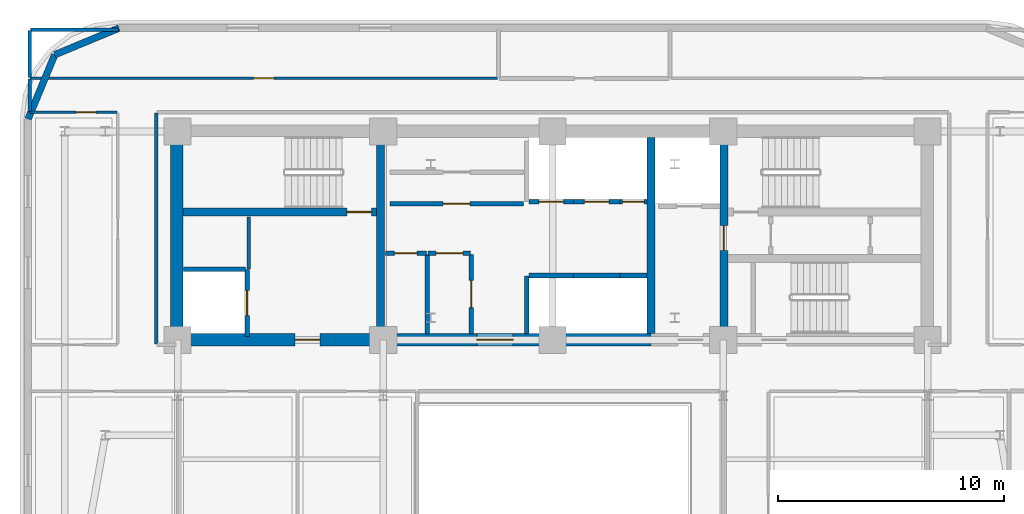
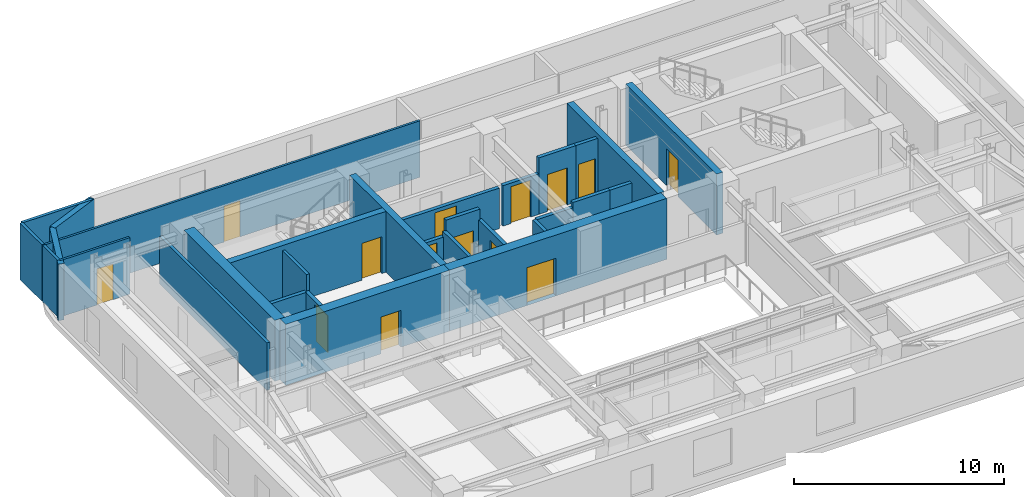
# One storey, part 6 of 11: 30 walls, 14 doors, 14 openings.
"""IFC4 building model written with IfcOpenShell, lengths in metres."""

from ifc_helpers import new_model, si_unit, direction, frame, frame_2d, origin, place, context, subcontext, project, spatial, rectangle, extrude, material, layer, layer_set, type_object, element, fill, save


model = new_model("IFC4")

# Units and contexts
model_context = context("Model", 3, precision=1e-05, world=origin(), true_north=direction((0.0, 1.0)))
body_context = subcontext(model_context, "Body", "Model", "MODEL_VIEW")
ifc_project = project(units=[si_unit("LENGTHUNIT", "METRE"), si_unit("AREAUNIT", "SQUARE_METRE"), si_unit("VOLUMEUNIT", "CUBIC_METRE"), si_unit("PLANEANGLEUNIT", "RADIAN"), si_unit("MASSUNIT", "GRAM", prefix="KILO")], contexts=[model_context])

# Site, building, storey
site_placement = place(None, origin())
site = spatial("IfcSite", under=ifc_project, at=site_placement, CompositionType="ELEMENT")
building_placement = place(site_placement, origin())
building = spatial("IfcBuilding", under=site, at=building_placement, Name="Zarnavel Station Tower", CompositionType="ELEMENT")
storey_placement = place(building_placement, frame((0.0, 0.0, 151.89990234375)))
storey = spatial("IfcBuildingStorey", under=building, at=storey_placement, Name="L41", CompositionType="ELEMENT", Elevation=151.89990234375)

# Walls
ifc_material_1 = material(Name="Concrete C50/60", Category="concrete")
ifc_layer_1 = layer(ifc_material_1, 0.35009765625)
ifc_layer_set_1 = layer_set([ifc_layer_1], Name="CW_350")
wall_type_1 = type_object("IfcWallType", Name="CW_350", PredefinedType="SHEAR", material=ifc_layer_set_1)
for number, where, z_axis, x_axis, name in (
    (1, (21.179931640625, 28.094970703125, 0.0), (0.0, 0.0, 1.0), (0.0, 1.0, 0.0), "L41 Rear Core Shear Wall DIV-W"),
    (2, (33.14990234375, 28.094970703125, 0.0), (0.0, 0.0, 1.0), (0.0, 1.0, 0.0), "L41 Rear Core Shear Wall DIV-E"),
):
    element("IfcWall", number, at=place(storey_placement, frame(where, z_axis=z_axis, x_axis=x_axis)), inside=storey, type_object=wall_type_1, Name=name, PredefinedType="SHEAR", context=body_context, shape_type="SweptSolid", body=[
        extrude(rectangle(XDim=8.679931640625, YDim=0.35009765625, at=frame_2d((4.33984375, 0.0))), origin(), (0.0, 0.0, 1.0), 3.550048828125),
    ])

# Wall, opening, door
wall_1_placement = place(storey_placement, frame((36.3798828125, 28.094970703125, 0.0), z_axis=(0.0, 0.0, 1.0), x_axis=(0.0, 1.0, 0.0)))
wall_1 = element("IfcWall", 3, at=wall_1_placement, inside=storey, type_object=wall_type_1, Name="L41 Rear Core Shear Wall DIV-S2", PredefinedType="SHEAR", context=body_context, shape_type="SweptSolid", body=[
    extrude(rectangle(XDim=8.679931640625, YDim=0.35009765625, at=frame_2d((4.33984375, 0.0))), origin(), (0.0, 0.0, 1.0), 3.550048828125),
])
opening_1_placement = place(wall_1_placement, frame((3.68505859375, 0.0, 0.0)))
opening_1 = element("IfcOpeningElement", 4, at=opening_1_placement, cuts=wall_1, Name="Opening FD01", PredefinedType="OPENING", context=body_context, shape_type="SweptSolid", body=[
    extrude(rectangle(XDim=1.10009765625, YDim=2.14990234375, at=frame_2d((0.550048828125, 1.074951171875))), frame((0.0, 0.18505859375, 0.0), z_axis=(0.0, -1.0, 0.0), x_axis=(1.0, 0.0, 0.0)), (0.0, 0.0, 1.0), 0.3701171875),
])
ifc_material_2 = material(Name="Painted Galvanised Steel and Hardwood Leaf", Category="steel")
door_type_1 = type_object("IfcDoorType", Name="ID_STAIR_1100", OperationType="NOTDEFINED", PredefinedType="DOOR", material=ifc_material_2)
door_1_placement = place(opening_1_placement, origin())
door_1 = element("IfcDoor", 5, at=door_1_placement, inside=storey, type_object=door_type_1, Name="L41 East Stair Vestibule Fire Door", OperationType="SINGLE_SWING_LEFT", OverallHeight=2.14990234375, OverallWidth=1.10009765625, PredefinedType="DOOR", context=body_context, shape_type="SweptSolid", body=[
    extrude(rectangle(XDim=1.10009765625, YDim=2.14990234375, at=frame_2d((0.550048828125, 1.074951171875))), frame((0.0, 0.02490234375, 0.0), z_axis=(0.0, -1.0, 0.0), x_axis=(1.0, 0.0, 0.0)), (0.0, 0.0, 1.0), 0.050048828125),
])
fill(opening_1, door_1)

wall_2_placement = place(storey_placement, frame((21.0048828125, 33.47998046875, 0.0), z_axis=(0.0, 0.0, 1.0), x_axis=(-1.0, 0.0, 0.0)))
wall_2 = element("IfcWall", 6, at=wall_2_placement, inside=storey, type_object=wall_type_1, Name="L41 Rear Core Shear Wall DIV-H1", PredefinedType="SHEAR", context=body_context, shape_type="SweptSolid", body=[
    extrude(rectangle(XDim=8.579833984375, YDim=0.35009765625, at=frame_2d((4.2900390625, 0.0))), origin(), (0.0, 0.0, 1.0), 3.550048828125),
])
opening_2_placement = place(wall_2_placement, frame((0.219970703125, 0.0, 0.0)))
opening_2 = element("IfcOpeningElement", 7, at=opening_2_placement, cuts=wall_2, Name="Opening FD01", PredefinedType="OPENING", context=body_context, shape_type="SweptSolid", body=[
    extrude(rectangle(XDim=1.10009765625, YDim=2.14990234375, at=frame_2d((0.550048828125, 1.074951171875))), frame((0.0, 0.18505859375, 0.0), z_axis=(0.0, -1.0, 0.0), x_axis=(1.0, 0.0, 0.0)), (0.0, 0.0, 1.0), 0.3701171875),
])
door_2_placement = place(opening_2_placement, origin())
door_2 = element("IfcDoor", 8, at=door_2_placement, inside=storey, type_object=door_type_1, Name="L41 Stair ST1 Lobby Fire Door", OperationType="SINGLE_SWING_LEFT", OverallHeight=2.14990234375, OverallWidth=1.10009765625, PredefinedType="DOOR", context=body_context, shape_type="SweptSolid", body=[
    extrude(rectangle(XDim=1.10009765625, YDim=2.14990234375, at=frame_2d((0.550048828125, 1.074951171875))), frame((0.0, 0.02490234375, 0.0), z_axis=(0.0, -1.0, 0.0), x_axis=(1.0, 0.0, 0.0)), (0.0, 0.0, 1.0), 0.050048828125),
])
fill(opening_2, door_2)

ifc_material_3 = material(Name="Concrete C50/60", Category="concrete")
ifc_layer_2 = layer(ifc_material_3, 0.550048828125)
ifc_layer_set_2 = layer_set([ifc_layer_2], Name="CW_550")
wall_type_2 = type_object("IfcWallType", Name="CW_550", PredefinedType="SHEAR", material=ifc_layer_set_2)
wall_3_placement = place(storey_placement, frame((21.179931640625, 27.820068359375, 0.0), z_axis=(0.0, 0.0, 1.0), x_axis=(-1.0, 0.0, 0.0)))
wall_3 = element("IfcWall", 9, at=wall_3_placement, inside=storey, type_object=wall_type_2, Name="L41 Rear Core Shear Wall S-W", PredefinedType="SHEAR", context=body_context, shape_type="SweptSolid", body=[
    extrude(rectangle(XDim=9.030029296875, YDim=0.550048828125, at=frame_2d((4.51513671875, 0.0))), origin(), (0.0, 0.0, 1.0), 3.550048828125),
])
opening_3_placement = place(wall_3_placement, frame((2.679931640625, 0.0, 0.0)))
opening_3 = element("IfcOpeningElement", 10, at=opening_3_placement, cuts=wall_3, Name="Opening FD01", PredefinedType="OPENING", context=body_context, shape_type="SweptSolid", body=[
    extrude(rectangle(XDim=1.10009765625, YDim=2.14990234375, at=frame_2d((0.550048828125, 1.074951171875))), frame((0.0, 0.284912109375, 0.0), z_axis=(0.0, -1.0, 0.0), x_axis=(1.0, 0.0, 0.0)), (0.0, 0.0, 1.0), 0.570068359375),
])
door_3_placement = place(opening_3_placement, origin())
door_3 = element("IfcDoor", 11, at=door_3_placement, inside=storey, type_object=door_type_1, Name="L41 West Firefighting Lobby Door", OperationType="SINGLE_SWING_RIGHT", OverallHeight=2.14990234375, OverallWidth=1.10009765625, PredefinedType="DOOR", context=body_context, shape_type="SweptSolid", body=[
    extrude(rectangle(XDim=1.10009765625, YDim=2.14990234375, at=frame_2d((0.550048828125, 1.074951171875))), frame((0.0, 0.02490234375, 0.0), z_axis=(0.0, -1.0, 0.0), x_axis=(1.0, 0.0, 0.0)), (0.0, 0.0, 1.0), 0.050048828125),
])
fill(opening_3, door_3)

wall_4_placement = place(storey_placement, frame((33.14990234375, 27.820068359375, 0.0), z_axis=(0.0, 0.0, 1.0), x_axis=(-1.0, 0.0, 0.0)))
wall_4 = element("IfcWall", 12, at=wall_4_placement, inside=storey, type_object=wall_type_2, Name="L41 Rear Core Shear Wall S-M", PredefinedType="SHEAR", context=body_context, shape_type="SweptSolid", body=[
    extrude(rectangle(XDim=11.969970703125, YDim=0.550048828125, at=frame_2d((5.98486328125, 0.0))), origin(), (0.0, 0.0, 1.0), 3.550048828125),
])
opening_4_placement = place(wall_4_placement, frame((6.10009765625, 0.0, 0.0)))
opening_4 = element("IfcOpeningElement", 13, at=opening_4_placement, cuts=wall_4, Name="Opening ID03", PredefinedType="OPENING", context=body_context, shape_type="SweptSolid", body=[
    extrude(rectangle(XDim=1.60009765625, YDim=2.199951171875, at=frame_2d((0.800048828125, 1.10009765625))), frame((0.0, 0.284912109375, 0.0), z_axis=(0.0, -1.0, 0.0), x_axis=(1.0, 0.0, 0.0)), (0.0, 0.0, 1.0), 0.570068359375),
])
ifc_material_4 = material(Name="Painted Galvanised Steel and Hardwood Leaf", Category="steel")
door_type_2 = type_object("IfcDoorType", Name="ID_PUBLIC_1600", OperationType="DOUBLE_DOOR_SINGLE_SWING", PredefinedType="DOOR", material=ifc_material_4)
door_4_placement = place(opening_4_placement, origin())
door_4 = element("IfcDoor", 14, at=door_4_placement, inside=storey, type_object=door_type_2, Name="L41 Passenger Lift Lobby Double Door", OperationType="SINGLE_SWING_LEFT", OverallHeight=2.199951171875, OverallWidth=1.60009765625, PredefinedType="DOOR", context=body_context, shape_type="SweptSolid", body=[
    extrude(rectangle(XDim=1.60009765625, YDim=2.199951171875, at=frame_2d((0.800048828125, 1.10009765625))), frame((0.0, 0.02490234375, 0.0), z_axis=(0.0, -1.0, 0.0), x_axis=(1.0, 0.0, 0.0)), (0.0, 0.0, 1.0), 0.050048828125),
])
fill(opening_4, door_4)

# Walls
wall_5_placement = place(storey_placement, frame((12.14990234375, 28.094970703125, 0.0), z_axis=(0.0, 0.0, 1.0), x_axis=(0.0, 1.0, 0.0)))
element("IfcWall", 15, at=wall_5_placement, inside=storey, type_object=wall_type_2, Name="L41 Rear Core Shear Wall W", PredefinedType="SHEAR", context=body_context, shape_type="SweptSolid", body=[
    extrude(rectangle(XDim=8.679931640625, YDim=0.550048828125, at=frame_2d((4.33984375, 0.0))), origin(), (0.0, 0.0, 1.0), 3.550048828125),
])
ifc_material_5 = material(Name="Precast concrete C45/55 (Dark Basalt Finish)", Category="masonry")
ifc_layer_3 = layer(ifc_material_5, 0.300048828125)
ifc_layer_set_3 = layer_set([ifc_layer_3], Name="EW_BASALT_300")
wall_type_3 = type_object("IfcWallType", Name="EW_BASALT_300", PredefinedType="SOLIDWALL", material=ifc_layer_set_3)
wall_6_placement = place(storey_placement, frame((6.75732421875, 40.442626953125, 0.0), z_axis=(0.0, 0.0, 1.0), x_axis=(0.923882414032, 0.382676475685, 0.0)))
element("IfcWall", 16, at=wall_6_placement, inside=storey, type_object=wall_type_3, Name="L41 Exterior Basalt Masonry Frame Wall 07", PredefinedType="SOLIDWALL", context=body_context, shape_type="SweptSolid", body=[
    extrude(rectangle(XDim=3.076904296875, YDim=0.300048828125, at=frame_2d((1.53857421875, 0.0))), origin(), (0.0, 0.0, 1.0), 3.2900390625),
])
wall_7_placement = place(storey_placement, frame((5.580078125, 37.60009765625, 0.0), z_axis=(0.0, 0.0, 1.0), x_axis=(0.382636798336, 0.92389884758, 0.0)))
element("IfcWall", 17, at=wall_7_placement, inside=storey, type_object=wall_type_3, Name="L41 Exterior Basalt Masonry Frame Wall 08", PredefinedType="SOLIDWALL", context=body_context, shape_type="SweptSolid", body=[
    extrude(rectangle(XDim=3.07666015625, YDim=0.300048828125, at=frame_2d((1.538330078125, 0.0))), origin(), (0.0, 0.0, 1.0), 3.2900390625),
])
ifc_material_6 = material(Name="Gypsum Twin-Stud Acoustic Fire Partition", Category="concrete")
ifc_layer_4 = layer(ifc_material_6, 0.159912109375)
ifc_layer_set_4 = layer_set([ifc_layer_4], Name="PT_DEMISE_160")
wall_type_4 = type_object("IfcWallType", Name="PT_DEMISE_160", PredefinedType="PARTITIONING", material=ifc_layer_set_4)
wall_8_placement = place(storey_placement, frame((15.35009765625, 30.9599609375, 0.0), z_axis=(0.0, 0.0, 1.0), x_axis=(0.0, 1.0, 0.0)))
element("IfcWall", 18, at=wall_8_placement, inside=storey, type_object=wall_type_4, Name="L41 Enclosure Wall FFL1", PredefinedType="PARTITIONING", context=body_context, shape_type="SweptSolid", body=[
    extrude(rectangle(XDim=2.31005859375, YDim=0.159912109375, at=frame_2d((1.155029296875, 0.0))), origin(), (0.0, 0.0, 1.0), 3.2900390625),
])
wall_9_placement = place(storey_placement, frame((11.25, 27.6298828125, 0.0), z_axis=(0.0, 0.0, 1.0), x_axis=(0.0, 1.0, 0.0)))
element("IfcWall", 19, at=wall_9_placement, inside=storey, type_object=wall_type_4, Name="L41 Enclosure Wall COR-W", PredefinedType="PARTITIONING", context=body_context, shape_type="SweptSolid", body=[
    extrude(rectangle(XDim=10.240234375, YDim=0.159912109375, at=frame_2d((5.1201171875, 0.0))), origin(), (0.0, 0.0, 1.0), 2.77001953125),
])
wall_10_placement = place(storey_placement, frame((5.659912109375, 37.929931640625, 0.0), z_axis=(0.0, 0.0, 1.0), x_axis=(0.0, 1.0, 0.0)))
element("IfcWall", 20, at=wall_10_placement, inside=storey, type_object=wall_type_4, Name="L41 Enclosure Wall COR-N", PredefinedType="PARTITIONING", context=body_context, shape_type="SweptSolid", body=[
    extrude(rectangle(XDim=1.440185546875, YDim=0.159912109375, at=frame_2d((0.72021484375, 0.0))), origin(), (0.0, 0.0, 1.0), 3.2900390625),
])
wall_11_placement = place(storey_placement, frame((5.68994140625, 41.5400390625, 0.0), z_axis=(0.0, 0.0, 1.0), x_axis=(1.0, 0.0, 0.0)))
element("IfcWall", 21, at=wall_11_placement, inside=storey, type_object=wall_type_4, Name="L41 Enclosure Wall NSTD", PredefinedType="PARTITIONING", context=body_context, shape_type="SweptSolid", body=[
    extrude(rectangle(XDim=3.880126953125, YDim=0.159912109375, at=frame_2d((1.93994140625, 0.0))), origin(), (0.0, 0.0, 1.0), 3.2900390625),
])
wall_12_placement = place(storey_placement, frame((5.659912109375, 39.429931640625, 0.0), z_axis=(0.0, 0.0, 1.0), x_axis=(0.0, 1.0, 0.0)))
element("IfcWall", 22, at=wall_12_placement, inside=storey, type_object=wall_type_4, Name="L41 Enclosure Wall NSTD", PredefinedType="PARTITIONING", context=body_context, shape_type="SweptSolid", body=[
    extrude(rectangle(XDim=2.080078125, YDim=0.159912109375, at=frame_2d((1.0400390625, 0.0))), origin(), (0.0, 0.0, 1.0), 3.2900390625),
])

# Wall, opening, door
ifc_material_7 = material(Name="Gypsum Metal-Stud Interior Partition", Category="concrete")
ifc_layer_5 = layer(ifc_material_7, 0.1201171875)
ifc_layer_set_5 = layer_set([ifc_layer_5], Name="PT_ROOM_120")
wall_type_5 = type_object("IfcWallType", Name="PT_ROOM_120", PredefinedType="PARTITIONING", material=ifc_layer_set_5)
wall_13_placement = place(storey_placement, frame((5.659912109375, 37.89990234375, 0.0), z_axis=(0.0, 0.0, 1.0), x_axis=(1.0, 0.0, 0.0)))
wall_13 = element("IfcWall", 23, at=wall_13_placement, inside=storey, type_object=wall_type_5, Name="L41 Partition COR-N-FNW", PredefinedType="PARTITIONING", context=body_context, shape_type="SweptSolid", body=[
    extrude(rectangle(XDim=3.85009765625, YDim=0.1201171875, at=frame_2d((1.925048828125, 0.0))), origin(), (0.0, 0.0, 1.0), 3.2900390625),
])
opening_5_placement = place(wall_13_placement, frame((2.03125, 0.0, 0.0)))
opening_5 = element("IfcOpeningElement", 24, at=opening_5_placement, cuts=wall_13, Name="Opening ID01", PredefinedType="OPENING", context=body_context, shape_type="SweptSolid", body=[
    extrude(rectangle(XDim=0.89990234375, YDim=2.10009765625, at=frame_2d((0.449951171875, 1.050048828125))), frame((0.0, 0.070068359375, 0.0), z_axis=(0.0, -1.0, 0.0), x_axis=(1.0, 0.0, 0.0)), (0.0, 0.0, 1.0), 0.14013671875),
])
ifc_material_8 = material(Name="Painted Galvanised Steel and Hardwood Leaf", Category="steel")
door_type_3 = type_object("IfcDoorType", Name="ID_ROOM_900", OperationType="NOTDEFINED", PredefinedType="DOOR", material=ifc_material_8)
door_5_placement = place(opening_5_placement, origin())
door_5 = element("IfcDoor", 25, at=door_5_placement, inside=storey, type_object=door_type_3, Name="L41 Door COR-N-FNW", OperationType="SINGLE_SWING_RIGHT", OverallHeight=2.10009765625, OverallWidth=0.89990234375, PredefinedType="DOOR", context=body_context, shape_type="SweptSolid", body=[
    extrude(rectangle(XDim=0.89990234375, YDim=2.10009765625, at=frame_2d((0.449951171875, 1.050048828125))), frame((0.0, 0.02490234375, 0.0), z_axis=(0.0, -1.0, 0.0), x_axis=(1.0, 0.0, 0.0)), (0.0, 0.0, 1.0), 0.050048828125),
])
fill(opening_5, door_5)

wall_14_placement = place(storey_placement, frame((5.659912109375, 39.39990234375, 0.0), z_axis=(0.0, 0.0, 1.0), x_axis=(1.0, 0.0, 0.0)))
wall_14 = element("IfcWall", 26, at=wall_14_placement, inside=storey, type_object=wall_type_5, Name="L41 Partition COR-N-NSTD", PredefinedType="PARTITIONING", context=body_context, shape_type="SweptSolid", body=[
    extrude(rectangle(XDim=20.7001953125, YDim=0.1201171875, at=frame_2d((10.35009765625, 0.0))), origin(), (0.0, 0.0, 1.0), 3.2900390625),
])
opening_6_placement = place(wall_14_placement, frame((9.89990234375, 0.0, 0.0)))
opening_6 = element("IfcOpeningElement", 27, at=opening_6_placement, cuts=wall_14, Name="Opening ID01", PredefinedType="OPENING", context=body_context, shape_type="SweptSolid", body=[
    extrude(rectangle(XDim=0.89990234375, YDim=2.10009765625, at=frame_2d((0.449951171875, 1.050048828125))), frame((0.0, 0.070068359375, 0.0), z_axis=(0.0, -1.0, 0.0), x_axis=(1.0, 0.0, 0.0)), (0.0, 0.0, 1.0), 0.14013671875),
])
door_6_placement = place(opening_6_placement, origin())
door_6 = element("IfcDoor", 28, at=door_6_placement, inside=storey, type_object=door_type_3, Name="L41 Door COR-N-NSTD", OperationType="SINGLE_SWING_RIGHT", OverallHeight=2.10009765625, OverallWidth=0.89990234375, PredefinedType="DOOR", context=body_context, shape_type="SweptSolid", body=[
    extrude(rectangle(XDim=0.89990234375, YDim=2.10009765625, at=frame_2d((0.449951171875, 1.050048828125))), frame((0.0, 0.02490234375, 0.0), z_axis=(0.0, -1.0, 0.0), x_axis=(1.0, 0.0, 0.0)), (0.0, 0.0, 1.0), 0.050048828125),
])
fill(opening_6, door_6)

ifc_material_9 = material(Name="Precast concrete C45/55 (Fire Shaft Blockwork)", Category="masonry")
ifc_layer_6 = layer(ifc_material_9, 0.199951171875)
ifc_layer_set_6 = layer_set([ifc_layer_6], Name="PT_SHAFT_200")
wall_type_6 = type_object("IfcWallType", Name="PT_SHAFT_200", PredefinedType="PARTITIONING", material=ifc_layer_set_6)
wall_15_placement = place(storey_placement, frame((15.27001953125, 27.969970703125, 0.0), z_axis=(0.0, 0.0, 1.0), x_axis=(0.0, 1.0, 0.0)))
wall_15 = element("IfcWall", 29, at=wall_15_placement, inside=storey, type_object=wall_type_6, Name="L41 Lift FFL-01 Shaft Front Wall", PredefinedType="PARTITIONING", context=body_context, shape_type="SweptSolid", body=[
    extrude(rectangle(XDim=2.9599609375, YDim=0.199951171875, at=frame_2d((1.47998046875, 0.0))), origin(), (0.0, 0.0, 1.0), 2.360107421875),
])
opening_7_placement = place(wall_15_placement, frame((0.929931640625, 0.0, 0.0)))
opening_7 = element("IfcOpeningElement", 30, at=opening_7_placement, cuts=wall_15, Name="Opening LD01", PredefinedType="OPENING", context=body_context, shape_type="SweptSolid", body=[
    extrude(rectangle(XDim=1.10009765625, YDim=2.14990234375, at=frame_2d((0.550048828125, 1.074951171875))), frame((0.0, 0.10986328125, 0.0), z_axis=(0.0, -1.0, 0.0), x_axis=(1.0, 0.0, 0.0)), (0.0, 0.0, 1.0), 0.219970703125),
])
ifc_material_10 = material(Name="Painted Galvanised Steel and Hardwood Leaf", Category="steel")
door_type_4 = type_object("IfcDoorType", Name="LD_FF_1100", OperationType="DOUBLE_DOOR_SLIDING", PredefinedType="DOOR", material=ifc_material_10)
door_7_placement = place(opening_7_placement, origin())
door_7 = element("IfcDoor", 31, at=door_7_placement, inside=storey, type_object=door_type_4, Name="L41 Lift FFL-01 Sliding Landing Door", OperationType="DOUBLE_DOOR_SLIDING", OverallHeight=2.14990234375, OverallWidth=1.10009765625, PredefinedType="DOOR", context=body_context, shape_type="SweptSolid", body=[
    extrude(rectangle(XDim=1.10009765625, YDim=2.14990234375, at=frame_2d((0.550048828125, 1.074951171875))), frame((0.0, 0.02490234375, 0.0), z_axis=(0.0, -1.0, 0.0), x_axis=(1.0, 0.0, 0.0)), (0.0, 0.0, 1.0), 0.050048828125),
])
fill(opening_7, door_7)

# Walls
wall_16_placement = place(storey_placement, frame((12.449951171875, 30.949951171875, 0.0), z_axis=(0.0, 0.0, 1.0), x_axis=(1.0, 0.0, 0.0)))
element("IfcWall", 32, at=wall_16_placement, inside=storey, type_object=wall_type_6, Name="L41 Lift FFL-01 North Shaft Wall", PredefinedType="PARTITIONING", context=body_context, shape_type="SweptSolid", body=[
    extrude(rectangle(XDim=2.75, YDim=0.199951171875, at=frame_2d((1.375, 0.0))), origin(), (0.0, 0.0, 1.0), 2.360107421875),
])
wall_17_placement = place(storey_placement, frame((27.75, 30.669921875, 0.0), z_axis=(0.0, 0.0, 1.0), x_axis=(1.0, 0.0, 0.0)))
element("IfcWall", 33, at=wall_17_placement, inside=storey, type_object=wall_type_6, Name="L41 Lift PL-H1 Shaft Front Wall", PredefinedType="PARTITIONING", context=body_context, shape_type="SweptSolid", body=[
    extrude(rectangle(XDim=1.97509765625, YDim=0.199951171875, at=frame_2d((0.987548828125, 0.0))), origin(), (0.0, 0.0, 1.0), 2.360107421875),
])
wall_18_placement = place(storey_placement, frame((27.64990234375, 28.070068359375, 0.0), z_axis=(0.0, 0.0, 1.0), x_axis=(0.0, 1.0, 0.0)))
element("IfcWall", 34, at=wall_18_placement, inside=storey, type_object=wall_type_6, Name="L41 High-Rise Lift Bank West Shaft Wall", PredefinedType="PARTITIONING", context=body_context, shape_type="SweptSolid", body=[
    extrude(rectangle(XDim=2.579833984375, YDim=0.199951171875, at=frame_2d((1.2900390625, 0.0))), origin(), (0.0, 0.0, 1.0), 2.360107421875),
])
wall_19_placement = place(storey_placement, frame((29.72509765625, 30.669921875, 0.0), z_axis=(0.0, 0.0, 1.0), x_axis=(1.0, 0.0, 0.0)))
element("IfcWall", 35, at=wall_19_placement, inside=storey, type_object=wall_type_6, Name="L41 Lift PL-H2 Shaft Front Wall", PredefinedType="PARTITIONING", context=body_context, shape_type="SweptSolid", body=[
    extrude(rectangle(XDim=2.0498046875, YDim=0.199951171875, at=frame_2d((1.02490234375, 0.0))), origin(), (0.0, 0.0, 1.0), 2.670166015625),
])
wall_20_placement = place(storey_placement, frame((31.77490234375, 30.669921875, 0.0), z_axis=(0.0, 0.0, 1.0), x_axis=(1.0, 0.0, 0.0)))
element("IfcWall", 36, at=wall_20_placement, inside=storey, type_object=wall_type_6, Name="L41 Lift PL-H3 Shaft Front Wall", PredefinedType="PARTITIONING", context=body_context, shape_type="SweptSolid", body=[
    extrude(rectangle(XDim=1.2001953125, YDim=0.199951171875, at=frame_2d((0.60009765625, 0.0))), origin(), (0.0, 0.0, 1.0), 2.670166015625),
])

# Wall, opening, door
wall_21_placement = place(storey_placement, frame((27.75, 33.929931640625, 0.0), z_axis=(0.0, 0.0, 1.0), x_axis=(1.0, 0.0, 0.0)))
wall_21 = element("IfcWall", 37, at=wall_21_placement, inside=storey, type_object=wall_type_6, Name="L41 Lift PL-M1 Shaft Front Wall", PredefinedType="PARTITIONING", context=body_context, shape_type="SweptSolid", body=[
    extrude(rectangle(XDim=1.97509765625, YDim=0.199951171875, at=frame_2d((0.987548828125, 0.0))), origin(), (0.0, 0.0, 1.0), 2.360107421875),
])
opening_8_placement = place(wall_21_placement, frame((0.4375, 0.0, 0.0)))
opening_8 = element("IfcOpeningElement", 38, at=opening_8_placement, cuts=wall_21, Name="Opening LD02", PredefinedType="OPENING", context=body_context, shape_type="SweptSolid", body=[
    extrude(rectangle(XDim=1.10009765625, YDim=2.14990234375, at=frame_2d((0.550048828125, 1.074951171875))), frame((0.0, 0.10986328125, 0.0), z_axis=(0.0, -1.0, 0.0), x_axis=(1.0, 0.0, 0.0)), (0.0, 0.0, 1.0), 0.219970703125),
])
ifc_material_11 = material(Name="Painted Galvanised Steel and Hardwood Leaf", Category="steel")
door_type_5 = type_object("IfcDoorType", Name="LD_PAX_1100", OperationType="DOUBLE_DOOR_SLIDING", PredefinedType="DOOR", material=ifc_material_11)
door_8_placement = place(opening_8_placement, origin())
door_8 = element("IfcDoor", 39, at=door_8_placement, inside=storey, type_object=door_type_5, Name="L41 Lift PL-M1 Sliding Landing Door", OperationType="DOUBLE_DOOR_SLIDING", OverallHeight=2.14990234375, OverallWidth=1.10009765625, PredefinedType="DOOR", context=body_context, shape_type="SweptSolid", body=[
    extrude(rectangle(XDim=1.10009765625, YDim=2.14990234375, at=frame_2d((0.550048828125, 1.074951171875))), frame((0.0, 0.02490234375, 0.0), z_axis=(0.0, -1.0, 0.0), x_axis=(1.0, 0.0, 0.0)), (0.0, 0.0, 1.0), 0.050048828125),
])
fill(opening_8, door_8)

wall_22_placement = place(storey_placement, frame((29.72509765625, 33.929931640625, 0.0), z_axis=(0.0, 0.0, 1.0), x_axis=(1.0, 0.0, 0.0)))
wall_22 = element("IfcWall", 40, at=wall_22_placement, inside=storey, type_object=wall_type_6, Name="L41 Lift PL-M2 Shaft Front Wall", PredefinedType="PARTITIONING", context=body_context, shape_type="SweptSolid", body=[
    extrude(rectangle(XDim=2.0498046875, YDim=0.199951171875, at=frame_2d((1.02490234375, 0.0))), origin(), (0.0, 0.0, 1.0), 3.2900390625),
])
opening_9_placement = place(wall_22_placement, frame((0.47509765625, 0.0, 0.0)))
opening_9 = element("IfcOpeningElement", 41, at=opening_9_placement, cuts=wall_22, Name="Opening LD02", PredefinedType="OPENING", context=body_context, shape_type="SweptSolid", body=[
    extrude(rectangle(XDim=1.10009765625, YDim=2.14990234375, at=frame_2d((0.550048828125, 1.074951171875))), frame((0.0, 0.10986328125, 0.0), z_axis=(0.0, -1.0, 0.0), x_axis=(1.0, 0.0, 0.0)), (0.0, 0.0, 1.0), 0.219970703125),
])
door_9_placement = place(opening_9_placement, origin())
door_9 = element("IfcDoor", 42, at=door_9_placement, inside=storey, type_object=door_type_5, Name="L41 Lift PL-M2 Sliding Landing Door", OperationType="DOUBLE_DOOR_SLIDING", OverallHeight=2.14990234375, OverallWidth=1.10009765625, PredefinedType="DOOR", context=body_context, shape_type="SweptSolid", body=[
    extrude(rectangle(XDim=1.10009765625, YDim=2.14990234375, at=frame_2d((0.550048828125, 1.074951171875))), frame((0.0, 0.02490234375, 0.0), z_axis=(0.0, -1.0, 0.0), x_axis=(1.0, 0.0, 0.0)), (0.0, 0.0, 1.0), 0.050048828125),
])
fill(opening_9, door_9)

wall_23_placement = place(storey_placement, frame((31.77490234375, 33.929931640625, 0.0), z_axis=(0.0, 0.0, 1.0), x_axis=(1.0, 0.0, 0.0)))
wall_23 = element("IfcWall", 43, at=wall_23_placement, inside=storey, type_object=wall_type_6, Name="L41 Lift PL-M3 Shaft Front Wall", PredefinedType="PARTITIONING", context=body_context, shape_type="SweptSolid", body=[
    extrude(rectangle(XDim=1.2001953125, YDim=0.199951171875, at=frame_2d((0.60009765625, 0.0))), origin(), (0.0, 0.0, 1.0), 3.2900390625),
])
opening_10_placement = place(wall_23_placement, frame((0.125, 0.0, 0.0)))
opening_10 = element("IfcOpeningElement", 44, at=opening_10_placement, cuts=wall_23, Name="Opening LD03", PredefinedType="OPENING", context=body_context, shape_type="SweptSolid", body=[
    extrude(rectangle(XDim=0.949951171875, YDim=2.14990234375, at=frame_2d((0.47509765625, 1.074951171875))), frame((0.0, 0.10986328125, 0.0), z_axis=(0.0, -1.0, 0.0), x_axis=(1.0, 0.0, 0.0)), (0.0, 0.0, 1.0), 0.219970703125),
])
ifc_material_12 = material(Name="Painted Galvanised Steel and Hardwood Leaf", Category="steel")
door_type_6 = type_object("IfcDoorType", Name="LD_PAX_0950", OperationType="DOUBLE_DOOR_SLIDING", PredefinedType="DOOR", material=ifc_material_12)
door_10_placement = place(opening_10_placement, origin())
door_10 = element("IfcDoor", 45, at=door_10_placement, inside=storey, type_object=door_type_6, Name="L41 Lift PL-M3 Sliding Landing Door", OperationType="DOUBLE_DOOR_SLIDING", OverallHeight=2.14990234375, OverallWidth=0.949951171875, PredefinedType="DOOR", context=body_context, shape_type="SweptSolid", body=[
    extrude(rectangle(XDim=0.949951171875, YDim=2.14990234375, at=frame_2d((0.47509765625, 1.074951171875))), frame((0.0, 0.02490234375, 0.0), z_axis=(0.0, -1.0, 0.0), x_axis=(1.0, 0.0, 0.0)), (0.0, 0.0, 1.0), 0.050048828125),
])
fill(opening_10, door_10)

wall_24_placement = place(storey_placement, frame((21.39990234375, 31.64990234375, 0.0), z_axis=(0.0, 0.0, 1.0), x_axis=(1.0, 0.0, 0.0)))
wall_24 = element("IfcWall", 46, at=wall_24_placement, inside=storey, type_object=wall_type_6, Name="L41 Partition LLOB-CS1", PredefinedType="PARTITIONING", context=body_context, shape_type="SweptSolid", body=[
    extrude(rectangle(XDim=1.81005859375, YDim=0.199951171875, at=frame_2d((0.905029296875, 0.0))), origin(), (0.0, 0.0, 1.0), 2.360107421875),
])
opening_11_placement = place(wall_24_placement, frame((0.405029296875, 0.0, 0.0)))
opening_11 = element("IfcOpeningElement", 47, at=opening_11_placement, cuts=wall_24, Name="Opening FD02", PredefinedType="OPENING", context=body_context, shape_type="SweptSolid", body=[
    extrude(rectangle(XDim=1.0, YDim=2.14990234375, at=frame_2d((0.5, 1.074951171875))), frame((0.0, 0.10986328125, 0.0), z_axis=(0.0, -1.0, 0.0), x_axis=(1.0, 0.0, 0.0)), (0.0, 0.0, 1.0), 0.219970703125),
])
ifc_material_13 = material(Name="Painted Galvanised Steel and Hardwood Leaf", Category="steel")
door_type_7 = type_object("IfcDoorType", Name="ID_ENTRY_1000", OperationType="NOTDEFINED", PredefinedType="DOOR", material=ifc_material_13)
door_11_placement = place(opening_11_placement, origin())
door_11 = element("IfcDoor", 48, at=door_11_placement, inside=storey, type_object=door_type_7, Name="L41 Door LLOB-CS1", OperationType="SINGLE_SWING_LEFT", OverallHeight=2.14990234375, OverallWidth=1.0, PredefinedType="DOOR", context=body_context, shape_type="SweptSolid", body=[
    extrude(rectangle(XDim=1.0, YDim=2.14990234375, at=frame_2d((0.5, 1.074951171875))), frame((0.0, 0.02490234375, 0.0), z_axis=(0.0, -1.0, 0.0), x_axis=(1.0, 0.0, 0.0)), (0.0, 0.0, 1.0), 0.050048828125),
])
fill(opening_11, door_11)

wall_25_placement = place(storey_placement, frame((23.2900390625, 31.64990234375, 0.0), z_axis=(0.0, 0.0, 1.0), x_axis=(1.0, 0.0, 0.0)))
wall_25 = element("IfcWall", 49, at=wall_25_placement, inside=storey, type_object=wall_type_6, Name="L41 Partition LLOB-CS2", PredefinedType="PARTITIONING", context=body_context, shape_type="SweptSolid", body=[
    extrude(rectangle(XDim=1.869873046875, YDim=0.199951171875, at=frame_2d((0.93505859375, 0.0))), origin(), (0.0, 0.0, 1.0), 3.2900390625),
])
opening_12_placement = place(wall_25_placement, frame((0.3349609375, 0.0, 0.0)))
opening_12 = element("IfcOpeningElement", 50, at=opening_12_placement, cuts=wall_25, Name="Opening FD03", PredefinedType="OPENING", context=body_context, shape_type="SweptSolid", body=[
    extrude(rectangle(XDim=1.199951171875, YDim=2.14990234375, at=frame_2d((0.60009765625, 1.074951171875))), frame((0.0, 0.10986328125, 0.0), z_axis=(0.0, -1.0, 0.0), x_axis=(1.0, 0.0, 0.0)), (0.0, 0.0, 1.0), 0.219970703125),
])
ifc_material_14 = material(Name="Painted Galvanised Steel and Hardwood Leaf", Category="steel")
door_type_8 = type_object("IfcDoorType", Name="ID_PLANT_1200", OperationType="NOTDEFINED", PredefinedType="DOOR", material=ifc_material_14)
door_12_placement = place(opening_12_placement, origin())
door_12 = element("IfcDoor", 51, at=door_12_placement, inside=storey, type_object=door_type_8, Name="L41 Door LLOB-CS2", OperationType="SINGLE_SWING_RIGHT", OverallHeight=2.14990234375, OverallWidth=1.199951171875, PredefinedType="DOOR", context=body_context, shape_type="SweptSolid", body=[
    extrude(rectangle(XDim=1.199951171875, YDim=2.14990234375, at=frame_2d((0.60009765625, 1.074951171875))), frame((0.0, 0.02490234375, 0.0), z_axis=(0.0, -1.0, 0.0), x_axis=(1.0, 0.0, 0.0)), (0.0, 0.0, 1.0), 0.050048828125),
])
fill(opening_12, door_12)

wall_26_placement = place(storey_placement, frame((21.590087890625, 33.85009765625, 0.0), z_axis=(0.0, 0.0, 1.0), x_axis=(1.0, 0.0, 0.0)))
wall_26 = element("IfcWall", 52, at=wall_26_placement, inside=storey, type_object=wall_type_6, Name="L41 Partition LLOB-FB1A", PredefinedType="PARTITIONING", context=body_context, shape_type="SweptSolid", body=[
    extrude(rectangle(XDim=5.919921875, YDim=0.199951171875, at=frame_2d((2.9599609375, 0.0))), origin(), (0.0, 0.0, 1.0), 2.360107421875),
])
opening_13_placement = place(wall_26_placement, frame((2.360107421875, 0.0, 0.0)))
opening_13 = element("IfcOpeningElement", 53, at=opening_13_placement, cuts=wall_26, Name="Opening FD03", PredefinedType="OPENING", context=body_context, shape_type="SweptSolid", body=[
    extrude(rectangle(XDim=1.199951171875, YDim=2.14990234375, at=frame_2d((0.60009765625, 1.074951171875))), frame((0.0, 0.10986328125, 0.0), z_axis=(0.0, -1.0, 0.0), x_axis=(1.0, 0.0, 0.0)), (0.0, 0.0, 1.0), 0.219970703125),
])
door_13_placement = place(opening_13_placement, origin())
door_13 = element("IfcDoor", 54, at=door_13_placement, inside=storey, type_object=door_type_8, Name="L41 Door LLOB-FB1A", OperationType="SINGLE_SWING_LEFT", OverallHeight=2.14990234375, OverallWidth=1.199951171875, PredefinedType="DOOR", context=body_context, shape_type="SweptSolid", body=[
    extrude(rectangle(XDim=1.199951171875, YDim=2.14990234375, at=frame_2d((0.60009765625, 1.074951171875))), frame((0.0, 0.02490234375, 0.0), z_axis=(0.0, -1.0, 0.0), x_axis=(1.0, 0.0, 0.0)), (0.0, 0.0, 1.0), 0.050048828125),
])
fill(opening_13, door_13)

wall_27_placement = place(storey_placement, frame((25.199951171875, 28.090087890625, 0.0), z_axis=(0.0, 0.0, 1.0), x_axis=(0.0, 1.0, 0.0)))
wall_27 = element("IfcWall", 55, at=wall_27_placement, inside=storey, type_object=wall_type_6, Name="L41 Partition LLOBS-CS2", PredefinedType="PARTITIONING", context=body_context, shape_type="SweptSolid", body=[
    extrude(rectangle(XDim=3.52001953125, YDim=0.199951171875, at=frame_2d((1.760009765625, 0.0))), origin(), (0.0, 0.0, 1.0), 2.670166015625),
])
opening_14_placement = place(wall_27_placement, frame((1.159912109375, 0.0, 0.0)))
opening_14 = element("IfcOpeningElement", 56, at=opening_14_placement, cuts=wall_27, Name="Opening FD03", PredefinedType="OPENING", context=body_context, shape_type="SweptSolid", body=[
    extrude(rectangle(XDim=1.199951171875, YDim=2.14990234375, at=frame_2d((0.60009765625, 1.074951171875))), frame((0.0, 0.10986328125, 0.0), z_axis=(0.0, -1.0, 0.0), x_axis=(1.0, 0.0, 0.0)), (0.0, 0.0, 1.0), 0.219970703125),
])
door_14_placement = place(opening_14_placement, origin())
door_14 = element("IfcDoor", 57, at=door_14_placement, inside=storey, type_object=door_type_8, Name="L41 Door LLOBS-CS2", OperationType="SINGLE_SWING_RIGHT", OverallHeight=2.14990234375, OverallWidth=1.199951171875, PredefinedType="DOOR", context=body_context, shape_type="SweptSolid", body=[
    extrude(rectangle(XDim=1.199951171875, YDim=2.14990234375, at=frame_2d((0.60009765625, 1.074951171875))), frame((0.0, 0.02490234375, 0.0), z_axis=(0.0, -1.0, 0.0), x_axis=(1.0, 0.0, 0.0)), (0.0, 0.0, 1.0), 0.050048828125),
])
fill(opening_14, door_14)

# Wall
wall_28_placement = place(storey_placement, frame((23.25, 28.090087890625, 0.0), z_axis=(0.0, 0.0, 1.0), x_axis=(0.0, 1.0, 0.0)))
element("IfcWall", 58, at=wall_28_placement, inside=storey, type_object=wall_type_6, Name="L41 Partition CS1-CS2", PredefinedType="PARTITIONING", context=body_context, shape_type="SweptSolid", body=[
    extrude(rectangle(XDim=3.52001953125, YDim=0.199951171875, at=frame_2d((1.760009765625, 0.0))), origin(), (0.0, 0.0, 1.0), 2.670166015625),
])

save(model, "model.ifc")
